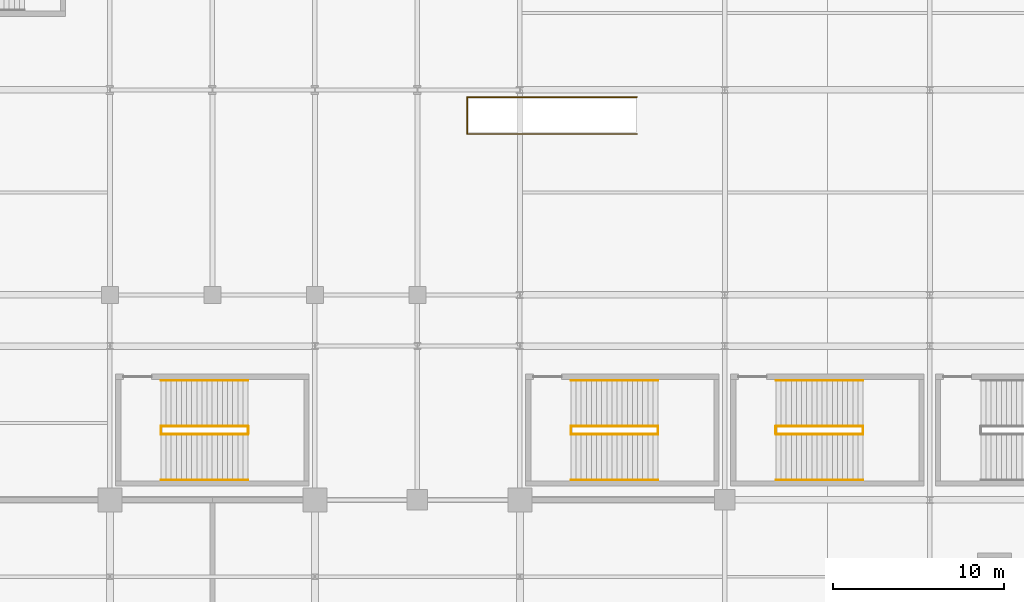
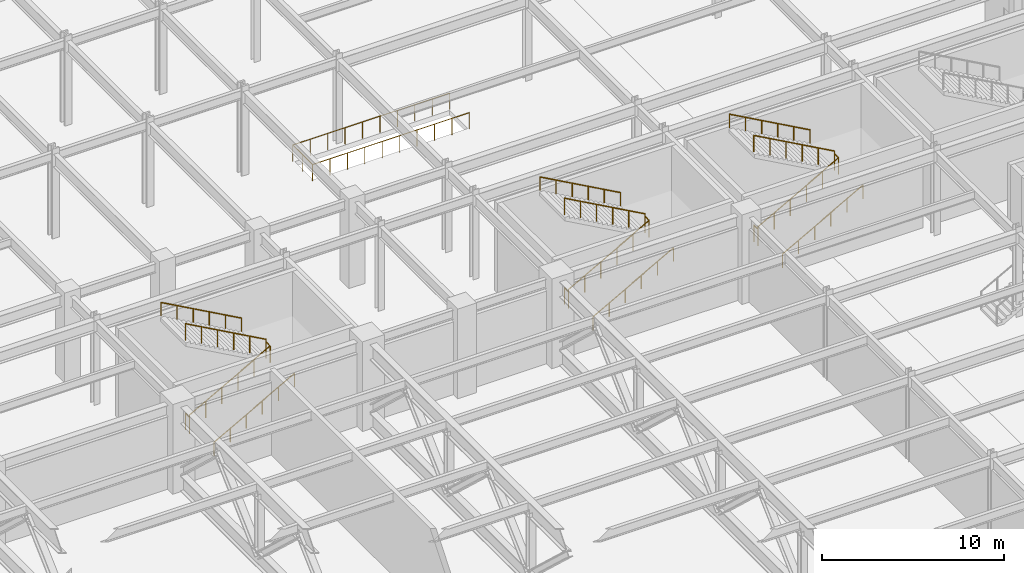
# One storey, part 105 of 108: 19 railings.
"""IFC4 building model written with IfcOpenShell, lengths in metres."""

from ifc_helpers import new_model, si_unit, direction, frame, origin, origin_2d, place, context, subcontext, project, spatial, circle, extrude, material, type_object, element, save


model = new_model("IFC4")

# Units and contexts
model_context = context("Model", 3, precision=1e-05, world=origin(), true_north=direction((0.0, 1.0)))
body_context = subcontext(model_context, "Body", "Model", "MODEL_VIEW")
ifc_project = project(units=[si_unit("LENGTHUNIT", "METRE"), si_unit("AREAUNIT", "SQUARE_METRE"), si_unit("VOLUMEUNIT", "CUBIC_METRE"), si_unit("PLANEANGLEUNIT", "RADIAN"), si_unit("MASSUNIT", "GRAM", prefix="KILO")], contexts=[model_context])

# Site, building, storey
site_placement = place(None, origin())
site = spatial("IfcSite", under=ifc_project, at=site_placement, CompositionType="ELEMENT")
building_placement = place(site_placement, origin())
building = spatial("IfcBuilding", under=site, at=building_placement, Name="Kaldorvane Square Convention Centre", CompositionType="ELEMENT")
storey_placement = place(building_placement, frame((0.0, 0.0, 12.0)))
storey = spatial("IfcBuildingStorey", under=building, at=storey_placement, Name="L02", CompositionType="ELEMENT", Elevation=12.0)

# Railings
ifc_material = material(Name="Architectural Painted Steel", Category="steel")
railing_type_1 = type_object("IfcRailingType", Name="RL-GUARD-1120", PredefinedType="BALUSTRADE", material=ifc_material)
for number, where, name in (
    (1, (80.99000549316406, 75.86000061035156, 0.0), "Convention Exit Stair C15 Floor Well Guard (L02)"),
    (2, (86.08999633789062, 75.86000061035156, 3.0), "Convention Exit Stair C15 Half-Landing Guard (L02)"),
):
    element("IfcRailing", number, at=place(storey_placement, frame(where)), inside=storey, type_object=railing_type_1, Name=name, PredefinedType="BALUSTRADE", context=body_context, shape_type="SweptSolid", body=[
        extrude(circle(Radius=0.0240020751953125, at=origin_2d()), frame((0.0, 0.0, 1.0959930419921875), z_axis=(0.0, 1.0, 0.0), x_axis=(-1.0, 0.0, 0.0)), (0.0, 0.0, 1.0), 0.44000244140625),
        extrude(circle(Radius=0.02099609375, at=origin_2d()), origin(), (0.0, 0.0, 1.0), 1.071990966796875),
        extrude(circle(Radius=0.02099609375, at=origin_2d()), frame((0.0, 0.44000244140625, 0.0)), (0.0, 0.0, 1.0), 1.071990966796875),
    ])
railing_1_placement = place(storey_placement, frame((80.99000549316406, 75.85000610351562, 0.1666717529296875)))
element("IfcRailing", 3, at=railing_1_placement, inside=storey, type_object=railing_type_1, Name="Convention Exit Stair C15 Flight 1 Guard (L02)", PredefinedType="BALUSTRADE", context=body_context, shape_type="SweptSolid", body=[
    extrude(circle(Radius=0.0240020751953125, at=origin_2d()), frame((0.0, 0.0, 1.0959930419921875), z_axis=(0.874157276122, 0.0, 0.485642931179), x_axis=(0.0, 1.0, 0.0)), (0.0, 0.0, 1.0), 5.8341827392578125),
    extrude(circle(Radius=0.02099609375, at=origin_2d()), origin(), (0.0, 0.0, 1.0), 1.071990966796875),
    extrude(circle(Radius=0.02099609375, at=origin_2d()), frame((1.0200042724609375, 0.0, 0.5666656494140625)), (0.0, 0.0, 1.0), 1.071990966796875),
    extrude(circle(Radius=0.02099609375, at=origin_2d()), frame((2.0399932861328125, 0.0, 1.133331298828125)), (0.0, 0.0, 1.0), 1.071990966796875),
    extrude(circle(Radius=0.02099609375, at=origin_2d()), frame((3.05999755859375, 0.0, 1.6999969482421875)), (0.0, 0.0, 1.0), 1.071990966796875),
    extrude(circle(Radius=0.02099609375, at=origin_2d()), frame((4.079986572265625, 0.0, 2.26666259765625)), (0.0, 0.0, 1.0), 1.071990966796875),
    extrude(circle(Radius=0.02099609375, at=origin_2d()), frame((5.0999908447265625, 0.0, 2.8333282470703125)), (0.0, 0.0, 1.0), 1.071990966796875),
])
railing_2_placement = place(storey_placement, frame((86.08999633789062, 76.30999755859375, 3.1666717529296875)))
element("IfcRailing", 4, at=railing_2_placement, inside=storey, type_object=railing_type_1, Name="Convention Exit Stair C15 Flight 2 Guard (L02)", PredefinedType="BALUSTRADE", context=body_context, shape_type="SweptSolid", body=[
    extrude(circle(Radius=0.0240020751953125, at=origin_2d()), frame((0.0, 0.0, 1.0959930419921875), z_axis=(-0.874157276122, 0.0, 0.485642931179), x_axis=(0.0, -1.0, 0.0)), (0.0, 0.0, 1.0), 5.8341827392578125),
    extrude(circle(Radius=0.02099609375, at=origin_2d()), origin(), (0.0, 0.0, 1.0), 1.071990966796875),
    extrude(circle(Radius=0.02099609375, at=origin_2d()), frame((-1.0200042724609375, 0.0, 0.5666656494140625)), (0.0, 0.0, 1.0), 1.071990966796875),
    extrude(circle(Radius=0.02099609375, at=origin_2d()), frame((-2.0399932861328125, 0.0, 1.133331298828125)), (0.0, 0.0, 1.0), 1.071990966796875),
    extrude(circle(Radius=0.02099609375, at=origin_2d()), frame((-3.05999755859375, 0.0, 1.6999969482421875)), (0.0, 0.0, 1.0), 1.071990966796875),
    extrude(circle(Radius=0.02099609375, at=origin_2d()), frame((-4.079986572265625, 0.0, 2.26666259765625)), (0.0, 0.0, 1.0), 1.071990966796875),
    extrude(circle(Radius=0.02099609375, at=origin_2d()), frame((-5.0999908447265625, 0.0, 2.8333282470703125)), (0.0, 0.0, 1.0), 1.071990966796875),
])
for number, where, name in (
    (5, (104.99000549316406, 75.86000061035156, 0.0), "Convention Exit Stair C16 Floor Well Guard (L02)"),
    (6, (110.08999633789062, 75.86000061035156, 3.0), "Convention Exit Stair C16 Half-Landing Guard (L02)"),
):
    element("IfcRailing", number, at=place(storey_placement, frame(where)), inside=storey, type_object=railing_type_1, Name=name, PredefinedType="BALUSTRADE", context=body_context, shape_type="SweptSolid", body=[
        extrude(circle(Radius=0.0240020751953125, at=origin_2d()), frame((0.0, 0.0, 1.0959930419921875), z_axis=(0.0, 1.0, 0.0), x_axis=(-1.0, 0.0, 0.0)), (0.0, 0.0, 1.0), 0.44000244140625),
        extrude(circle(Radius=0.02099609375, at=origin_2d()), origin(), (0.0, 0.0, 1.0), 1.071990966796875),
        extrude(circle(Radius=0.02099609375, at=origin_2d()), frame((0.0, 0.44000244140625, 0.0)), (0.0, 0.0, 1.0), 1.071990966796875),
    ])
railing_3_placement = place(storey_placement, frame((104.99000549316406, 75.85000610351562, 0.1666717529296875)))
element("IfcRailing", 7, at=railing_3_placement, inside=storey, type_object=railing_type_1, Name="Convention Exit Stair C16 Flight 1 Guard (L02)", PredefinedType="BALUSTRADE", context=body_context, shape_type="SweptSolid", body=[
    extrude(circle(Radius=0.0240020751953125, at=origin_2d()), frame((0.0, 0.0, 1.0959930419921875), z_axis=(0.874157276122, 0.0, 0.485642931179), x_axis=(0.0, 1.0, 0.0)), (0.0, 0.0, 1.0), 5.8341827392578125),
    extrude(circle(Radius=0.02099609375, at=origin_2d()), origin(), (0.0, 0.0, 1.0), 1.071990966796875),
    extrude(circle(Radius=0.02099609375, at=origin_2d()), frame((1.0200042724609375, 0.0, 0.5666656494140625)), (0.0, 0.0, 1.0), 1.071990966796875),
    extrude(circle(Radius=0.02099609375, at=origin_2d()), frame((2.0399932861328125, 0.0, 1.133331298828125)), (0.0, 0.0, 1.0), 1.071990966796875),
    extrude(circle(Radius=0.02099609375, at=origin_2d()), frame((3.05999755859375, 0.0, 1.6999969482421875)), (0.0, 0.0, 1.0), 1.071990966796875),
    extrude(circle(Radius=0.02099609375, at=origin_2d()), frame((4.079986572265625, 0.0, 2.26666259765625)), (0.0, 0.0, 1.0), 1.071990966796875),
    extrude(circle(Radius=0.02099609375, at=origin_2d()), frame((5.0999908447265625, 0.0, 2.8333282470703125)), (0.0, 0.0, 1.0), 1.071990966796875),
])
railing_4_placement = place(storey_placement, frame((110.08999633789062, 76.30999755859375, 3.1666717529296875)))
element("IfcRailing", 8, at=railing_4_placement, inside=storey, type_object=railing_type_1, Name="Convention Exit Stair C16 Flight 2 Guard (L02)", PredefinedType="BALUSTRADE", context=body_context, shape_type="SweptSolid", body=[
    extrude(circle(Radius=0.0240020751953125, at=origin_2d()), frame((0.0, 0.0, 1.0959930419921875), z_axis=(-0.874157276122, 0.0, 0.485642931179), x_axis=(0.0, -1.0, 0.0)), (0.0, 0.0, 1.0), 5.8341827392578125),
    extrude(circle(Radius=0.02099609375, at=origin_2d()), origin(), (0.0, 0.0, 1.0), 1.071990966796875),
    extrude(circle(Radius=0.02099609375, at=origin_2d()), frame((-1.0200042724609375, 0.0, 0.5666656494140625)), (0.0, 0.0, 1.0), 1.071990966796875),
    extrude(circle(Radius=0.02099609375, at=origin_2d()), frame((-2.0399932861328125, 0.0, 1.133331298828125)), (0.0, 0.0, 1.0), 1.071990966796875),
    extrude(circle(Radius=0.02099609375, at=origin_2d()), frame((-3.05999755859375, 0.0, 1.6999969482421875)), (0.0, 0.0, 1.0), 1.071990966796875),
    extrude(circle(Radius=0.02099609375, at=origin_2d()), frame((-4.079986572265625, 0.0, 2.26666259765625)), (0.0, 0.0, 1.0), 1.071990966796875),
    extrude(circle(Radius=0.02099609375, at=origin_2d()), frame((-5.0999908447265625, 0.0, 2.8333282470703125)), (0.0, 0.0, 1.0), 1.071990966796875),
])
for number, where, name in (
    (9, (116.99000549316406, 75.86000061035156, 0.0), "Convention Exit Stair C17 Floor Well Guard (L02)"),
    (10, (122.08999633789062, 75.86000061035156, 3.0), "Convention Exit Stair C17 Half-Landing Guard (L02)"),
):
    element("IfcRailing", number, at=place(storey_placement, frame(where)), inside=storey, type_object=railing_type_1, Name=name, PredefinedType="BALUSTRADE", context=body_context, shape_type="SweptSolid", body=[
        extrude(circle(Radius=0.0240020751953125, at=origin_2d()), frame((0.0, 0.0, 1.0959930419921875), z_axis=(0.0, 1.0, 0.0), x_axis=(-1.0, 0.0, 0.0)), (0.0, 0.0, 1.0), 0.44000244140625),
        extrude(circle(Radius=0.02099609375, at=origin_2d()), origin(), (0.0, 0.0, 1.0), 1.071990966796875),
        extrude(circle(Radius=0.02099609375, at=origin_2d()), frame((0.0, 0.44000244140625, 0.0)), (0.0, 0.0, 1.0), 1.071990966796875),
    ])
railing_5_placement = place(storey_placement, frame((116.99000549316406, 75.85000610351562, 0.1666717529296875)))
element("IfcRailing", 11, at=railing_5_placement, inside=storey, type_object=railing_type_1, Name="Convention Exit Stair C17 Flight 1 Guard (L02)", PredefinedType="BALUSTRADE", context=body_context, shape_type="SweptSolid", body=[
    extrude(circle(Radius=0.0240020751953125, at=origin_2d()), frame((0.0, 0.0, 1.0959930419921875), z_axis=(0.874157276122, 0.0, 0.485642931179), x_axis=(0.0, 1.0, 0.0)), (0.0, 0.0, 1.0), 5.8341827392578125),
    extrude(circle(Radius=0.02099609375, at=origin_2d()), origin(), (0.0, 0.0, 1.0), 1.071990966796875),
    extrude(circle(Radius=0.02099609375, at=origin_2d()), frame((1.0200042724609375, 0.0, 0.5666656494140625)), (0.0, 0.0, 1.0), 1.071990966796875),
    extrude(circle(Radius=0.02099609375, at=origin_2d()), frame((2.0399932861328125, 0.0, 1.133331298828125)), (0.0, 0.0, 1.0), 1.071990966796875),
    extrude(circle(Radius=0.02099609375, at=origin_2d()), frame((3.05999755859375, 0.0, 1.6999969482421875)), (0.0, 0.0, 1.0), 1.071990966796875),
    extrude(circle(Radius=0.02099609375, at=origin_2d()), frame((4.079986572265625, 0.0, 2.26666259765625)), (0.0, 0.0, 1.0), 1.071990966796875),
    extrude(circle(Radius=0.02099609375, at=origin_2d()), frame((5.0999908447265625, 0.0, 2.8333282470703125)), (0.0, 0.0, 1.0), 1.071990966796875),
])
railing_6_placement = place(storey_placement, frame((122.08999633789062, 76.30999755859375, 3.1666717529296875)))
element("IfcRailing", 12, at=railing_6_placement, inside=storey, type_object=railing_type_1, Name="Convention Exit Stair C17 Flight 2 Guard (L02)", PredefinedType="BALUSTRADE", context=body_context, shape_type="SweptSolid", body=[
    extrude(circle(Radius=0.0240020751953125, at=origin_2d()), frame((0.0, 0.0, 1.0959930419921875), z_axis=(-0.874157276122, 0.0, 0.485642931179), x_axis=(0.0, -1.0, 0.0)), (0.0, 0.0, 1.0), 5.8341827392578125),
    extrude(circle(Radius=0.02099609375, at=origin_2d()), origin(), (0.0, 0.0, 1.0), 1.071990966796875),
    extrude(circle(Radius=0.02099609375, at=origin_2d()), frame((-1.0200042724609375, 0.0, 0.5666656494140625)), (0.0, 0.0, 1.0), 1.071990966796875),
    extrude(circle(Radius=0.02099609375, at=origin_2d()), frame((-2.0399932861328125, 0.0, 1.133331298828125)), (0.0, 0.0, 1.0), 1.071990966796875),
    extrude(circle(Radius=0.02099609375, at=origin_2d()), frame((-3.05999755859375, 0.0, 1.6999969482421875)), (0.0, 0.0, 1.0), 1.071990966796875),
    extrude(circle(Radius=0.02099609375, at=origin_2d()), frame((-4.079986572265625, 0.0, 2.26666259765625)), (0.0, 0.0, 1.0), 1.071990966796875),
    extrude(circle(Radius=0.02099609375, at=origin_2d()), frame((-5.0999908447265625, 0.0, 2.8333282470703125)), (0.0, 0.0, 1.0), 1.071990966796875),
])
railing_7_placement = place(storey_placement, frame((108.85000610351562, 93.41999816894531, 0.0)))
element("IfcRailing", 13, at=railing_7_placement, inside=storey, type_object=railing_type_1, Name="Hotel Atrium Grand Stair F6 Upper Well Guard (L02)", PredefinedType="BALUSTRADE", context=body_context, shape_type="SweptSolid", body=[
    extrude(circle(Radius=0.0240020751953125, at=origin_2d()), frame((0.0, 0.0, 1.0959930419921875), z_axis=(-1.0, 0.0, 0.0), x_axis=(0.0, -1.0, 0.0)), (0.0, 0.0, 1.0), 9.930007934570312),
    extrude(circle(Radius=0.0240020751953125, at=origin_2d()), frame((-9.930007934570312, 0.0, 1.0959930419921875), z_axis=(0.0, 1.0, 0.0), x_axis=(-1.0, 0.0, 0.0)), (0.0, 0.0, 1.0), 2.160003662109375),
    extrude(circle(Radius=0.0240020751953125, at=origin_2d()), frame((-9.930007934570312, 2.160003662109375, 1.0959930419921875), z_axis=(1.0, 0.0, 0.0), x_axis=(0.0, 1.0, 0.0)), (0.0, 0.0, 1.0), 9.930007934570312),
    extrude(circle(Radius=0.02099609375, at=origin_2d()), origin(), (0.0, 0.0, 1.0), 1.071990966796875),
    extrude(circle(Radius=0.02099609375, at=origin_2d()), frame((-1.10333251953125, 0.0, 0.0)), (0.0, 0.0, 1.0), 1.071990966796875),
    extrude(circle(Radius=0.02099609375, at=origin_2d()), frame((-2.2066650390625, 0.0, 0.0)), (0.0, 0.0, 1.0), 1.071990966796875),
    extrude(circle(Radius=0.02099609375, at=origin_2d()), frame((-3.30999755859375, 0.0, 0.0)), (0.0, 0.0, 1.0), 1.071990966796875),
    extrude(circle(Radius=0.02099609375, at=origin_2d()), frame((-4.413330078125, 0.0, 0.0)), (0.0, 0.0, 1.0), 1.071990966796875),
    extrude(circle(Radius=0.02099609375, at=origin_2d()), frame((-5.5166778564453125, 0.0, 0.0)), (0.0, 0.0, 1.0), 1.071990966796875),
    extrude(circle(Radius=0.02099609375, at=origin_2d()), frame((-6.6200103759765625, 0.0, 0.0)), (0.0, 0.0, 1.0), 1.071990966796875),
    extrude(circle(Radius=0.02099609375, at=origin_2d()), frame((-7.7233428955078125, 0.0, 0.0)), (0.0, 0.0, 1.0), 1.071990966796875),
    extrude(circle(Radius=0.02099609375, at=origin_2d()), frame((-8.826675415039062, 0.0, 0.0)), (0.0, 0.0, 1.0), 1.071990966796875),
    extrude(circle(Radius=0.02099609375, at=origin_2d()), frame((-9.930007934570312, 0.0, 0.0)), (0.0, 0.0, 1.0), 1.071990966796875),
    extrude(circle(Radius=0.02099609375, at=origin_2d()), frame((-9.930007934570312, 1.0800018310546875, 0.0)), (0.0, 0.0, 1.0), 1.071990966796875),
    extrude(circle(Radius=0.02099609375, at=origin_2d()), frame((-9.930007934570312, 2.160003662109375, 0.0)), (0.0, 0.0, 1.0), 1.071990966796875),
    extrude(circle(Radius=0.02099609375, at=origin_2d()), frame((-8.826675415039062, 2.160003662109375, 0.0)), (0.0, 0.0, 1.0), 1.071990966796875),
    extrude(circle(Radius=0.02099609375, at=origin_2d()), frame((-7.7233428955078125, 2.160003662109375, 0.0)), (0.0, 0.0, 1.0), 1.071990966796875),
    extrude(circle(Radius=0.02099609375, at=origin_2d()), frame((-6.6200103759765625, 2.160003662109375, 0.0)), (0.0, 0.0, 1.0), 1.071990966796875),
    extrude(circle(Radius=0.02099609375, at=origin_2d()), frame((-5.5166778564453125, 2.160003662109375, 0.0)), (0.0, 0.0, 1.0), 1.071990966796875),
    extrude(circle(Radius=0.02099609375, at=origin_2d()), frame((-4.413330078125, 2.160003662109375, 0.0)), (0.0, 0.0, 1.0), 1.071990966796875),
    extrude(circle(Radius=0.02099609375, at=origin_2d()), frame((-3.30999755859375, 2.160003662109375, 0.0)), (0.0, 0.0, 1.0), 1.071990966796875),
    extrude(circle(Radius=0.02099609375, at=origin_2d()), frame((-2.2066650390625, 2.160003662109375, 0.0)), (0.0, 0.0, 1.0), 1.071990966796875),
    extrude(circle(Radius=0.02099609375, at=origin_2d()), frame((-1.10333251953125, 2.160003662109375, 0.0)), (0.0, 0.0, 1.0), 1.071990966796875),
    extrude(circle(Radius=0.02099609375, at=origin_2d()), frame((0.0, 2.160003662109375, 0.0)), (0.0, 0.0, 1.0), 1.071990966796875),
])
railing_type_2 = type_object("IfcRailingType", Name="RL-HAND-915", PredefinedType="HANDRAIL", material=ifc_material)
railing_8_placement = place(storey_placement, frame((80.99000549316406, 73.16999816894531, 0.1666717529296875)))
element("IfcRailing", 14, at=railing_8_placement, inside=storey, type_object=railing_type_2, Name="Convention Exit Stair C15 Wall Handrail 1 (L02)", PredefinedType="HANDRAIL", context=body_context, shape_type="SweptSolid", body=[
    extrude(circle(Radius=0.0240020751953125, at=origin_2d()), frame((0.0, 0.0, 0.8909912109375), z_axis=(0.874157276122, 0.0, 0.485642931179), x_axis=(0.0, 1.0, 0.0)), (0.0, 0.0, 1.0), 5.8341827392578125),
    extrude(circle(Radius=0.02099609375, at=origin_2d()), origin(), (0.0, 0.0, 1.0), 0.8669891357421875),
    extrude(circle(Radius=0.02099609375, at=origin_2d()), frame((1.0200042724609375, 0.0, 0.5666656494140625)), (0.0, 0.0, 1.0), 0.8669891357421875),
    extrude(circle(Radius=0.02099609375, at=origin_2d()), frame((2.0399932861328125, 0.0, 1.133331298828125)), (0.0, 0.0, 1.0), 0.8669891357421875),
    extrude(circle(Radius=0.02099609375, at=origin_2d()), frame((3.05999755859375, 0.0, 1.6999969482421875)), (0.0, 0.0, 1.0), 0.8669891357421875),
    extrude(circle(Radius=0.02099609375, at=origin_2d()), frame((4.079986572265625, 0.0, 2.26666259765625)), (0.0, 0.0, 1.0), 0.8669891357421875),
    extrude(circle(Radius=0.02099609375, at=origin_2d()), frame((5.0999908447265625, 0.0, 2.8333282470703125)), (0.0, 0.0, 1.0), 0.8669891357421875),
])
railing_9_placement = place(storey_placement, frame((86.08999633789062, 78.99000549316406, 3.1666717529296875)))
element("IfcRailing", 15, at=railing_9_placement, inside=storey, type_object=railing_type_2, Name="Convention Exit Stair C15 Wall Handrail 2 (L02)", PredefinedType="HANDRAIL", context=body_context, shape_type="SweptSolid", body=[
    extrude(circle(Radius=0.0240020751953125, at=origin_2d()), frame((0.0, 0.0, 0.8909912109375), z_axis=(-0.874157276122, 0.0, 0.485642931179), x_axis=(0.0, -1.0, 0.0)), (0.0, 0.0, 1.0), 5.8341827392578125),
    extrude(circle(Radius=0.02099609375, at=origin_2d()), origin(), (0.0, 0.0, 1.0), 0.8669891357421875),
    extrude(circle(Radius=0.02099609375, at=origin_2d()), frame((-1.0200042724609375, 0.0, 0.5666656494140625)), (0.0, 0.0, 1.0), 0.8669891357421875),
    extrude(circle(Radius=0.02099609375, at=origin_2d()), frame((-2.0399932861328125, 0.0, 1.133331298828125)), (0.0, 0.0, 1.0), 0.8669891357421875),
    extrude(circle(Radius=0.02099609375, at=origin_2d()), frame((-3.05999755859375, 0.0, 1.6999969482421875)), (0.0, 0.0, 1.0), 0.8669891357421875),
    extrude(circle(Radius=0.02099609375, at=origin_2d()), frame((-4.079986572265625, 0.0, 2.26666259765625)), (0.0, 0.0, 1.0), 0.8669891357421875),
    extrude(circle(Radius=0.02099609375, at=origin_2d()), frame((-5.0999908447265625, 0.0, 2.8333282470703125)), (0.0, 0.0, 1.0), 0.8669891357421875),
])
railing_10_placement = place(storey_placement, frame((104.99000549316406, 73.16999816894531, 0.1666717529296875)))
element("IfcRailing", 16, at=railing_10_placement, inside=storey, type_object=railing_type_2, Name="Convention Exit Stair C16 Wall Handrail 1 (L02)", PredefinedType="HANDRAIL", context=body_context, shape_type="SweptSolid", body=[
    extrude(circle(Radius=0.0240020751953125, at=origin_2d()), frame((0.0, 0.0, 0.8909912109375), z_axis=(0.874157276122, 0.0, 0.485642931179), x_axis=(0.0, 1.0, 0.0)), (0.0, 0.0, 1.0), 5.8341827392578125),
    extrude(circle(Radius=0.02099609375, at=origin_2d()), origin(), (0.0, 0.0, 1.0), 0.8669891357421875),
    extrude(circle(Radius=0.02099609375, at=origin_2d()), frame((1.0200042724609375, 0.0, 0.5666656494140625)), (0.0, 0.0, 1.0), 0.8669891357421875),
    extrude(circle(Radius=0.02099609375, at=origin_2d()), frame((2.0399932861328125, 0.0, 1.133331298828125)), (0.0, 0.0, 1.0), 0.8669891357421875),
    extrude(circle(Radius=0.02099609375, at=origin_2d()), frame((3.05999755859375, 0.0, 1.6999969482421875)), (0.0, 0.0, 1.0), 0.8669891357421875),
    extrude(circle(Radius=0.02099609375, at=origin_2d()), frame((4.079986572265625, 0.0, 2.26666259765625)), (0.0, 0.0, 1.0), 0.8669891357421875),
    extrude(circle(Radius=0.02099609375, at=origin_2d()), frame((5.0999908447265625, 0.0, 2.8333282470703125)), (0.0, 0.0, 1.0), 0.8669891357421875),
])
railing_11_placement = place(storey_placement, frame((110.08999633789062, 78.99000549316406, 3.1666717529296875)))
element("IfcRailing", 17, at=railing_11_placement, inside=storey, type_object=railing_type_2, Name="Convention Exit Stair C16 Wall Handrail 2 (L02)", PredefinedType="HANDRAIL", context=body_context, shape_type="SweptSolid", body=[
    extrude(circle(Radius=0.0240020751953125, at=origin_2d()), frame((0.0, 0.0, 0.8909912109375), z_axis=(-0.874157276122, 0.0, 0.485642931179), x_axis=(0.0, -1.0, 0.0)), (0.0, 0.0, 1.0), 5.8341827392578125),
    extrude(circle(Radius=0.02099609375, at=origin_2d()), origin(), (0.0, 0.0, 1.0), 0.8669891357421875),
    extrude(circle(Radius=0.02099609375, at=origin_2d()), frame((-1.0200042724609375, 0.0, 0.5666656494140625)), (0.0, 0.0, 1.0), 0.8669891357421875),
    extrude(circle(Radius=0.02099609375, at=origin_2d()), frame((-2.0399932861328125, 0.0, 1.133331298828125)), (0.0, 0.0, 1.0), 0.8669891357421875),
    extrude(circle(Radius=0.02099609375, at=origin_2d()), frame((-3.05999755859375, 0.0, 1.6999969482421875)), (0.0, 0.0, 1.0), 0.8669891357421875),
    extrude(circle(Radius=0.02099609375, at=origin_2d()), frame((-4.079986572265625, 0.0, 2.26666259765625)), (0.0, 0.0, 1.0), 0.8669891357421875),
    extrude(circle(Radius=0.02099609375, at=origin_2d()), frame((-5.0999908447265625, 0.0, 2.8333282470703125)), (0.0, 0.0, 1.0), 0.8669891357421875),
])
railing_12_placement = place(storey_placement, frame((116.99000549316406, 73.16999816894531, 0.1666717529296875)))
element("IfcRailing", 18, at=railing_12_placement, inside=storey, type_object=railing_type_2, Name="Convention Exit Stair C17 Wall Handrail 1 (L02)", PredefinedType="HANDRAIL", context=body_context, shape_type="SweptSolid", body=[
    extrude(circle(Radius=0.0240020751953125, at=origin_2d()), frame((0.0, 0.0, 0.8909912109375), z_axis=(0.874157276122, 0.0, 0.485642931179), x_axis=(0.0, 1.0, 0.0)), (0.0, 0.0, 1.0), 5.8341827392578125),
    extrude(circle(Radius=0.02099609375, at=origin_2d()), origin(), (0.0, 0.0, 1.0), 0.8669891357421875),
    extrude(circle(Radius=0.02099609375, at=origin_2d()), frame((1.0200042724609375, 0.0, 0.5666656494140625)), (0.0, 0.0, 1.0), 0.8669891357421875),
    extrude(circle(Radius=0.02099609375, at=origin_2d()), frame((2.0399932861328125, 0.0, 1.133331298828125)), (0.0, 0.0, 1.0), 0.8669891357421875),
    extrude(circle(Radius=0.02099609375, at=origin_2d()), frame((3.05999755859375, 0.0, 1.6999969482421875)), (0.0, 0.0, 1.0), 0.8669891357421875),
    extrude(circle(Radius=0.02099609375, at=origin_2d()), frame((4.079986572265625, 0.0, 2.26666259765625)), (0.0, 0.0, 1.0), 0.8669891357421875),
    extrude(circle(Radius=0.02099609375, at=origin_2d()), frame((5.0999908447265625, 0.0, 2.8333282470703125)), (0.0, 0.0, 1.0), 0.8669891357421875),
])
railing_13_placement = place(storey_placement, frame((122.08999633789062, 78.99000549316406, 3.1666717529296875)))
element("IfcRailing", 19, at=railing_13_placement, inside=storey, type_object=railing_type_2, Name="Convention Exit Stair C17 Wall Handrail 2 (L02)", PredefinedType="HANDRAIL", context=body_context, shape_type="SweptSolid", body=[
    extrude(circle(Radius=0.0240020751953125, at=origin_2d()), frame((0.0, 0.0, 0.8909912109375), z_axis=(-0.874157276122, 0.0, 0.485642931179), x_axis=(0.0, -1.0, 0.0)), (0.0, 0.0, 1.0), 5.8341827392578125),
    extrude(circle(Radius=0.02099609375, at=origin_2d()), origin(), (0.0, 0.0, 1.0), 0.8669891357421875),
    extrude(circle(Radius=0.02099609375, at=origin_2d()), frame((-1.0200042724609375, 0.0, 0.5666656494140625)), (0.0, 0.0, 1.0), 0.8669891357421875),
    extrude(circle(Radius=0.02099609375, at=origin_2d()), frame((-2.0399932861328125, 0.0, 1.133331298828125)), (0.0, 0.0, 1.0), 0.8669891357421875),
    extrude(circle(Radius=0.02099609375, at=origin_2d()), frame((-3.05999755859375, 0.0, 1.6999969482421875)), (0.0, 0.0, 1.0), 0.8669891357421875),
    extrude(circle(Radius=0.02099609375, at=origin_2d()), frame((-4.079986572265625, 0.0, 2.26666259765625)), (0.0, 0.0, 1.0), 0.8669891357421875),
    extrude(circle(Radius=0.02099609375, at=origin_2d()), frame((-5.0999908447265625, 0.0, 2.8333282470703125)), (0.0, 0.0, 1.0), 0.8669891357421875),
])

save(model, "model.ifc")
